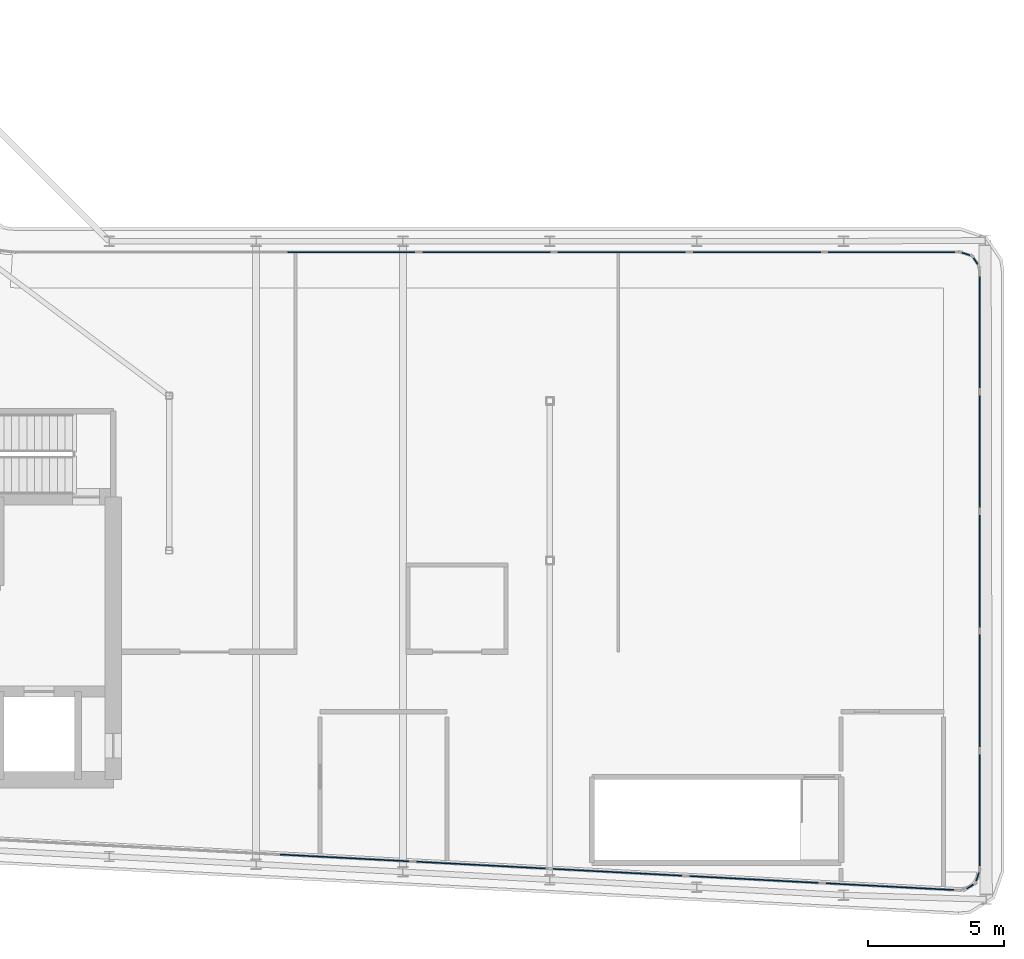
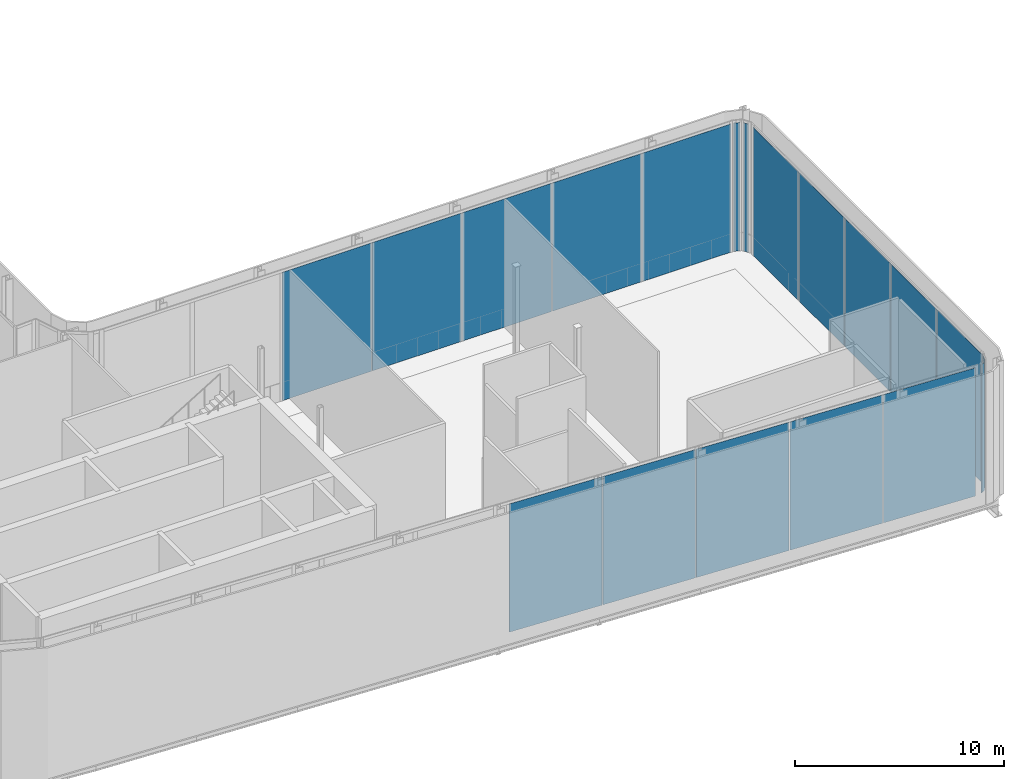
# One storey, part 16 of 27: 19 plates, 7 elements without a shape of their own.
"""IFC4 building model written with IfcOpenShell, lengths in metres."""

from ifc_helpers import new_model, si_unit, direction, frame, origin, origin_2d, place, context, subcontext, project, spatial, rectangle, extrude, material, layer, layer_set, type_object, element, aggregate, save


model = new_model("IFC4")

# Units and contexts
model_context = context("Model", 3, precision=1e-05, world=origin(), true_north=direction((0.0, 1.0)))
body_context = subcontext(model_context, "Body", "Model", "MODEL_VIEW")
ifc_project = project(units=[si_unit("LENGTHUNIT", "METRE"), si_unit("AREAUNIT", "SQUARE_METRE"), si_unit("VOLUMEUNIT", "CUBIC_METRE"), si_unit("PLANEANGLEUNIT", "RADIAN"), si_unit("MASSUNIT", "GRAM", prefix="KILO")], contexts=[model_context])

# Site, building, storey
site_placement = place(None, origin())
site = spatial("IfcSite", under=ifc_project, at=site_placement, CompositionType="ELEMENT")
building_placement = place(site_placement, origin())
building = spatial("IfcBuilding", under=site, at=building_placement, Name="Kheshtan School and Residences Tower", CompositionType="ELEMENT")
storey_placement = place(building_placement, frame((0.0, 0.0, 266.89990234375)))
storey = spatial("IfcBuildingStorey", under=building, at=storey_placement, Name="L63", CompositionType="ELEMENT", Elevation=266.89990234375)

# Curtain wall, plate
ifc_material = material(Name="Clear low-e glass in thermally broken aluminium frame", Category="aluminium")
ifc_layer_1 = layer(ifc_material, 0.25)
ifc_layer_set_1 = layer_set([ifc_layer_1], Name="Curtain wall CW-K")
curtain_wall_type = type_object("IfcCurtainWallType", Name="Curtain wall CW-K", PredefinedType="NOTDEFINED", material=ifc_layer_set_1)
curtain_wall_1_placement = place(storey_placement, origin())
curtain_wall_1 = element("IfcCurtainWall", 1, at=curtain_wall_1_placement, inside=storey, type_object=curtain_wall_type, Name="Curtain wall CWK1a", PredefinedType="NOTDEFINED")
ifc_layer_2 = layer(ifc_material, 0.0380859375)
ifc_layer_set_2 = layer_set([ifc_layer_2], Name="CW-K glass panel")
plate_type = type_object("IfcPlateType", Name="CW-K glass panel", PredefinedType="CURTAIN_PANEL", material=ifc_layer_set_2)
plate_1_placement = place(storey_placement, frame((84.497802734375, 45.13232421875, 0.0), z_axis=(0.0, 0.0, 1.0), x_axis=(0.952703792543, -0.303900450271, 0.0)))
plate_1 = element("IfcPlate", 2, at=plate_1_placement, type_object=plate_type, Name="CWK1a panel 1.1", PredefinedType="CURTAIN_PANEL", context=body_context, shape_type="SweptSolid", body=[
    extrude(rectangle(XDim=0.294677734375, YDim=0.0380859375, at=origin_2d()), origin(), (0.0, 0.0, 1.0), 7.489990234375),
])
aggregate(curtain_wall_1, [plate_1])

curtain_wall_2_placement = place(storey_placement, origin())
curtain_wall_2 = element("IfcCurtainWall", 3, at=curtain_wall_2_placement, inside=storey, type_object=curtain_wall_type, Name="Curtain wall CWK2a", PredefinedType="NOTDEFINED")
plate_2_placement = place(storey_placement, frame((84.854736328125, 44.8701171875, 0.0), z_axis=(0.0, 0.0, 1.0), x_axis=(0.555301678168, -0.831648992198, 0.0)))
plate_2 = element("IfcPlate", 4, at=plate_2_placement, type_object=plate_type, Name="CWK2a panel 1.1", PredefinedType="CURTAIN_PANEL", context=body_context, shape_type="SweptSolid", body=[
    extrude(rectangle(XDim=0.263671875, YDim=0.0380859375, at=origin_2d()), origin(), (0.0, 0.0, 1.0), 7.489990234375),
])
aggregate(curtain_wall_2, [plate_2])

# Curtain wall, plates
curtain_wall_3_placement = place(storey_placement, origin())
curtain_wall_3 = element("IfcCurtainWall", 5, at=curtain_wall_3_placement, inside=storey, type_object=curtain_wall_type, Name="Curtain wall CWK3a", PredefinedType="NOTDEFINED")
plate_3_placement = place(storey_placement, frame((85.0, 42.25439453125, 0.0), z_axis=(0.0, 0.0, 1.0), x_axis=(0.0, -1.0, 0.0)))
plate_3 = element("IfcPlate", 6, at=plate_3_placement, type_object=plate_type, Name="CWK3a panel 1.1", PredefinedType="CURTAIN_PANEL", context=body_context, shape_type="SweptSolid", body=[
    extrude(rectangle(XDim=4.31103515625, YDim=0.0380859375, at=origin_2d()), origin(), (0.0, 0.0, 1.0), 7.489990234375),
])
plate_4_placement = place(storey_placement, frame((85.0, 37.868408203125, 0.0), z_axis=(0.0, 0.0, 1.0), x_axis=(0.0, -1.0, 0.0)))
plate_4 = element("IfcPlate", 7, at=plate_4_placement, type_object=plate_type, Name="CWK3a panel 2.1", PredefinedType="CURTAIN_PANEL", context=body_context, shape_type="SweptSolid", body=[
    extrude(rectangle(XDim=4.341064453125, YDim=0.0380859375, at=origin_2d()), origin(), (0.0, 0.0, 1.0), 7.489990234375),
])
plate_5_placement = place(storey_placement, frame((85.0, 33.467529296875, 0.0), z_axis=(0.0, 0.0, 1.0), x_axis=(0.0, -1.0, 0.0)))
plate_5 = element("IfcPlate", 8, at=plate_5_placement, type_object=plate_type, Name="CWK3a panel 3.1", PredefinedType="CURTAIN_PANEL", context=body_context, shape_type="SweptSolid", body=[
    extrude(rectangle(XDim=4.341064453125, YDim=0.0380859375, at=origin_2d()), origin(), (0.0, 0.0, 1.0), 7.489990234375),
])
plate_6_placement = place(storey_placement, frame((85.0, 29.06640625, 0.0), z_axis=(0.0, 0.0, 1.0), x_axis=(0.0, -1.0, 0.0)))
plate_6 = element("IfcPlate", 9, at=plate_6_placement, type_object=plate_type, Name="CWK3a panel 4.1", PredefinedType="CURTAIN_PANEL", context=body_context, shape_type="SweptSolid", body=[
    extrude(rectangle(XDim=4.341064453125, YDim=0.0380859375, at=origin_2d()), origin(), (0.0, 0.0, 1.0), 7.489990234375),
])
plate_7_placement = place(storey_placement, frame((85.0, 24.680419921875, 0.0), z_axis=(0.0, 0.0, 1.0), x_axis=(0.0, -1.0, 0.0)))
plate_7 = element("IfcPlate", 10, at=plate_7_placement, type_object=plate_type, Name="CWK3a panel 5.1", PredefinedType="CURTAIN_PANEL", context=body_context, shape_type="SweptSolid", body=[
    extrude(rectangle(XDim=4.31103515625, YDim=0.0380859375, at=origin_2d()), origin(), (0.0, 0.0, 1.0), 7.489990234375),
])
aggregate(curtain_wall_3, [plate_3, plate_4, plate_5, plate_6, plate_7])

# Curtain wall, plate
curtain_wall_4_placement = place(storey_placement, origin())
curtain_wall_4 = element("IfcCurtainWall", 11, at=curtain_wall_4_placement, inside=storey, type_object=curtain_wall_type, Name="Curtain wall CWK4a", PredefinedType="NOTDEFINED")
plate_8_placement = place(storey_placement, frame((84.928466796875, 22.231201171875, 0.0), z_axis=(0.0, 0.0, 1.0), x_axis=(-0.31200204942, -0.950081428698, 0.0)))
plate_8 = element("IfcPlate", 12, at=plate_8_placement, type_object=plate_type, Name="CWK4a panel 1.1", PredefinedType="CURTAIN_PANEL", context=body_context, shape_type="SweptSolid", body=[
    extrude(rectangle(XDim=0.306396484375, YDim=0.0380859375, at=origin_2d()), origin(), (0.0, 0.0, 1.0), 7.489990234375),
])
aggregate(curtain_wall_4, [plate_8])

curtain_wall_5_placement = place(storey_placement, origin())
curtain_wall_5 = element("IfcCurtainWall", 13, at=curtain_wall_5_placement, inside=storey, type_object=curtain_wall_type, Name="Curtain wall CWK5", PredefinedType="NOTDEFINED")
plate_9_placement = place(storey_placement, frame((84.6513671875, 21.8701171875, 0.0), z_axis=(0.0, 0.0, 1.0), x_axis=(-0.848704967828, -0.528866597153, 0.0)))
plate_9 = element("IfcPlate", 14, at=plate_9_placement, type_object=plate_type, Name="CWK5 panel 1.1", PredefinedType="CURTAIN_PANEL", context=body_context, shape_type="SweptSolid", body=[
    extrude(rectangle(XDim=0.277099609375, YDim=0.0380859375, at=origin_2d()), origin(), (0.0, 0.0, 1.0), 7.489990234375),
])
aggregate(curtain_wall_5, [plate_9])

# Curtain wall, plates
curtain_wall_6_placement = place(storey_placement, origin())
curtain_wall_6 = element("IfcCurtainWall", 15, at=curtain_wall_6_placement, inside=storey, type_object=curtain_wall_type, Name="Curtain wall CWK6a", PredefinedType="NOTDEFINED")
plate_10_placement = place(storey_placement, frame((81.709228515625, 21.868896484375, 0.0), z_axis=(0.0, 0.0, 1.0), x_axis=(-0.998617444424, 0.052566145875, 0.0)))
plate_10 = element("IfcPlate", 16, at=plate_10_placement, type_object=plate_type, Name="CWK6a panel 1.1", PredefinedType="CURTAIN_PANEL", context=body_context, shape_type="SweptSolid", body=[
    extrude(rectangle(XDim=4.93408203125, YDim=0.0380859375, at=origin_2d()), origin(), (0.0, 0.0, 1.0), 7.489990234375),
])
plate_11_placement = place(storey_placement, frame((76.70703125, 22.13232421875, 0.0), z_axis=(0.0, 0.0, 1.0), x_axis=(-0.998617444424, 0.052566145875, 0.0)))
plate_11 = element("IfcPlate", 17, at=plate_11_placement, type_object=plate_type, Name="CWK6a panel 2.1", PredefinedType="CURTAIN_PANEL", context=body_context, shape_type="SweptSolid", body=[
    extrude(rectangle(XDim=4.964111328125, YDim=0.0380859375, at=origin_2d()), origin(), (0.0, 0.0, 1.0), 7.489990234375),
])
plate_12_placement = place(storey_placement, frame((71.689697265625, 22.396484375, 0.0), z_axis=(0.0, 0.0, 1.0), x_axis=(-0.998617444424, 0.052566145875, 0.0)))
plate_12 = element("IfcPlate", 18, at=plate_12_placement, type_object=plate_type, Name="CWK6a panel 3.1", PredefinedType="CURTAIN_PANEL", context=body_context, shape_type="SweptSolid", body=[
    extrude(rectangle(XDim=4.964111328125, YDim=0.0380859375, at=origin_2d()), origin(), (0.0, 0.0, 1.0), 7.489990234375),
])
plate_13_placement = place(storey_placement, frame((66.672607421875, 22.660400390625, 0.0), z_axis=(0.0, 0.0, 1.0), x_axis=(-0.998617444424, 0.052566145875, 0.0)))
plate_13 = element("IfcPlate", 19, at=plate_13_placement, type_object=plate_type, Name="CWK6a panel 4.1", PredefinedType="CURTAIN_PANEL", context=body_context, shape_type="SweptSolid", body=[
    extrude(rectangle(XDim=4.964111328125, YDim=0.0380859375, at=origin_2d()), origin(), (0.0, 0.0, 1.0), 7.489990234375),
])
plate_14_placement = place(storey_placement, frame((61.6552734375, 22.924560546875, 0.0), z_axis=(0.0, 0.0, 1.0), x_axis=(-0.998617444424, 0.052566145875, 0.0)))
plate_14 = element("IfcPlate", 20, at=plate_14_placement, type_object=plate_type, Name="CWK6a panel 5.1", PredefinedType="CURTAIN_PANEL", context=body_context, shape_type="SweptSolid", body=[
    extrude(rectangle(XDim=4.964111328125, YDim=0.0380859375, at=origin_2d()), origin(), (0.0, 0.0, 1.0), 7.489990234375),
])
aggregate(curtain_wall_6, [plate_10, plate_11, plate_12, plate_13, plate_14])

curtain_wall_7_placement = place(storey_placement, origin())
curtain_wall_7 = element("IfcCurtainWall", 21, at=curtain_wall_7_placement, inside=storey, type_object=curtain_wall_type, Name="Curtain wall CWK24a", PredefinedType="NOTDEFINED")
plate_15_placement = place(storey_placement, frame((61.89794921875, 45.199951171875, 0.0), z_axis=(0.0, 0.0, 1.0), x_axis=(1.0, 0.0, 0.0)))
plate_15 = element("IfcPlate", 22, at=plate_15_placement, type_object=plate_type, Name="CWK24a panel 3.1", PredefinedType="CURTAIN_PANEL", context=body_context, shape_type="SweptSolid", body=[
    extrude(rectangle(XDim=4.91162109375, YDim=0.0380859375, at=origin_2d()), origin(), (0.0, 0.0, 1.0), 7.489990234375),
])
plate_16_placement = place(storey_placement, frame((66.869384765625, 45.199951171875, 0.0), z_axis=(0.0, 0.0, 1.0), x_axis=(1.0, 0.0, 0.0)))
plate_16 = element("IfcPlate", 23, at=plate_16_placement, type_object=plate_type, Name="CWK24a panel 4.1", PredefinedType="CURTAIN_PANEL", context=body_context, shape_type="SweptSolid", body=[
    extrude(rectangle(XDim=4.91162109375, YDim=0.0380859375, at=origin_2d()), origin(), (0.0, 0.0, 1.0), 7.489990234375),
])
plate_17_placement = place(storey_placement, frame((71.841064453125, 45.199951171875, 0.0), z_axis=(0.0, 0.0, 1.0), x_axis=(1.0, 0.0, 0.0)))
plate_17 = element("IfcPlate", 24, at=plate_17_placement, type_object=plate_type, Name="CWK24a panel 5.1", PredefinedType="CURTAIN_PANEL", context=body_context, shape_type="SweptSolid", body=[
    extrude(rectangle(XDim=4.91162109375, YDim=0.0380859375, at=origin_2d()), origin(), (0.0, 0.0, 1.0), 7.489990234375),
])
plate_18_placement = place(storey_placement, frame((76.812744140625, 45.199951171875, 0.0), z_axis=(0.0, 0.0, 1.0), x_axis=(1.0, 0.0, 0.0)))
plate_18 = element("IfcPlate", 25, at=plate_18_placement, type_object=plate_type, Name="CWK24a panel 6.1", PredefinedType="CURTAIN_PANEL", context=body_context, shape_type="SweptSolid", body=[
    extrude(rectangle(XDim=4.91162109375, YDim=0.0380859375, at=origin_2d()), origin(), (0.0, 0.0, 1.0), 7.489990234375),
])
plate_19_placement = place(storey_placement, frame((81.769287109375, 45.199951171875, 0.0), z_axis=(0.0, 0.0, 1.0), x_axis=(1.0, 0.0, 0.0)))
plate_19 = element("IfcPlate", 26, at=plate_19_placement, type_object=plate_type, Name="CWK24a panel 7.1", PredefinedType="CURTAIN_PANEL", context=body_context, shape_type="SweptSolid", body=[
    extrude(rectangle(XDim=4.881591796875, YDim=0.0380859375, at=origin_2d()), origin(), (0.0, 0.0, 1.0), 7.489990234375),
])
aggregate(curtain_wall_7, [plate_15, plate_16, plate_17, plate_18, plate_19])

save(model, "model.ifc")
